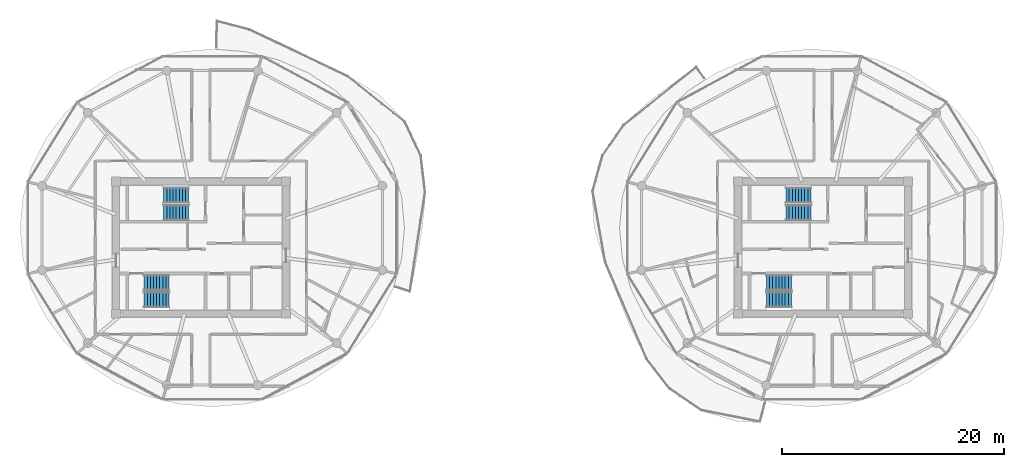
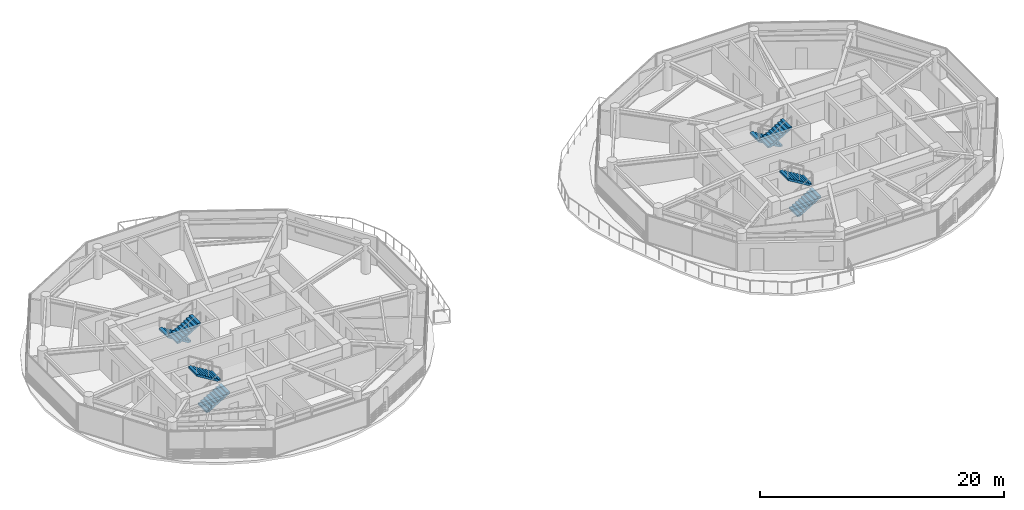
# One storey, part 18 of 21: 8 stair flights, 4 elements without a shape of their own.
"""IFC4 building model written with IfcOpenShell, lengths in metres."""

from ifc_helpers import new_model, si_unit, direction, frame, origin, place, context, subcontext, project, spatial, polyline, outline, extrude, material, type_object, element, aggregate, save


model = new_model("IFC4")

# Units and contexts
model_context = context("Model", 3, precision=1e-05, world=origin(), true_north=direction((0.0, 1.0)))
body_context = subcontext(model_context, "Body", "Model", "MODEL_VIEW")
ifc_project = project(units=[si_unit("LENGTHUNIT", "METRE"), si_unit("AREAUNIT", "SQUARE_METRE"), si_unit("VOLUMEUNIT", "CUBIC_METRE"), si_unit("PLANEANGLEUNIT", "RADIAN"), si_unit("MASSUNIT", "GRAM", prefix="KILO")], contexts=[model_context])

# Site, building, storey
site_placement = place(None, origin())
site = spatial("IfcSite", under=ifc_project, at=site_placement, CompositionType="ELEMENT")
building_placement = place(site_placement, origin())
building = spatial("IfcBuilding", under=site, at=building_placement, Name="Norrkilde Senior Care Towers", CompositionType="ELEMENT")
storey_placement = place(building_placement, frame((0.0, 0.0, 140.39990234375)))
storey = spatial("IfcBuildingStorey", under=building, at=storey_placement, Name="L43", CompositionType="ELEMENT", Elevation=140.39990234375)

# Stair, stair flights
ifc_material = material(Name="Concrete C45/55", Category="concrete")
stair_type = type_object("IfcStairType", Name="Core Protected Dogleg Stair Typical 3050", PredefinedType="HALF_TURN_STAIR", material=ifc_material)
stair_1_placement = place(storey_placement, origin())
stair_1 = element("IfcStair", 1, at=stair_1_placement, inside=storey, type_object=stair_type, Name="L43 Protected Core Stair W1", PredefinedType="HALF_TURN_STAIR")
stair_flight_type = type_object("IfcStairFlightType", Name="Core Protected Dogleg Stair Typical 3050 Flight", PredefinedType="STRAIGHT", material=ifc_material)
stair_flight_1_placement = place(storey_placement, frame((-29.10009765625, 4.699951171875, 0.0), z_axis=(0.0, 0.0, 1.0), x_axis=(-1.0, 0.0, 0.0)))
stair_flight_1 = element("IfcStairFlight", 2, at=stair_flight_1_placement, type_object=stair_flight_type, Name="ST-W1 flight 1", NumberOfRisers=9, NumberOfTreads=8, PredefinedType="STRAIGHT", RiserHeight=0.169444444, TreadLength=0.28, context=body_context, shape_type="SweptSolid", body=[
    extrude(outline(polyline([(0.0, 0.0), (0.0, 0.16943359375), (0.280029296875, 0.16943359375), (0.280029296875, 0.3388671875), (0.56005859375, 0.3388671875), (0.56005859375, 0.50830078125), (0.840087890625, 0.50830078125), (0.840087890625, 0.677734375), (1.1201171875, 0.677734375), (1.1201171875, 0.84716796875), (1.39990234375, 0.84716796875), (1.39990234375, 1.0166015625), (1.679931640625, 1.0166015625), (1.679931640625, 1.18603515625), (1.9599609375, 1.18603515625), (1.9599609375, 1.35546875), (2.239990234375, 1.35546875), (2.239990234375, 1.52490234375), (2.239990234375, 1.180419921875), (0.28955078125, 0.0), (0.0, 0.0)])), frame((0.0, 0.699951171875, 0.0), z_axis=(0.0, -1.0, 0.0), x_axis=(1.0, 0.0, 0.0)), (0.0, 0.0, 1.0), 1.39990234375),
])
stair_flight_2_placement = place(storey_placement, frame((-31.340087890625, 3.14990234375, 1.525146484375), z_axis=(0.0, 0.0, 1.0), x_axis=(1.0, 0.0, 0.0)))
stair_flight_2 = element("IfcStairFlight", 3, at=stair_flight_2_placement, type_object=stair_flight_type, Name="ST-W1 flight 2", NumberOfRisers=9, NumberOfTreads=8, PredefinedType="STRAIGHT", RiserHeight=0.169444444, TreadLength=0.28, context=body_context, shape_type="SweptSolid", body=[
    extrude(outline(polyline([(0.0, 0.0), (0.0, 0.16943359375), (0.280029296875, 0.16943359375), (0.280029296875, 0.3388671875), (0.56005859375, 0.3388671875), (0.56005859375, 0.50830078125), (0.840087890625, 0.50830078125), (0.840087890625, 0.677734375), (1.1201171875, 0.677734375), (1.1201171875, 0.84716796875), (1.39990234375, 0.84716796875), (1.39990234375, 1.0166015625), (1.679931640625, 1.0166015625), (1.679931640625, 1.18603515625), (1.9599609375, 1.18603515625), (1.9599609375, 1.35546875), (2.239990234375, 1.35546875), (2.239990234375, 1.52490234375), (2.239990234375, 1.180419921875), (0.28955078125, 0.0), (0.0, 0.0)])), frame((0.0, 0.699951171875, 0.0), z_axis=(0.0, -1.0, 0.0), x_axis=(1.0, 0.0, 0.0)), (0.0, 0.0, 1.0), 1.39990234375),
])
aggregate(stair_1, [stair_flight_1, stair_flight_2])

stair_2_placement = place(storey_placement, origin())
stair_2 = element("IfcStair", 4, at=stair_2_placement, inside=storey, type_object=stair_type, Name="L43 Protected Core Stair W2", PredefinedType="HALF_TURN_STAIR")
stair_flight_3_placement = place(storey_placement, frame((-33.10009765625, -4.699951171875, 0.0), z_axis=(0.0, 0.0, 1.0), x_axis=(1.0, 0.0, 0.0)))
stair_flight_3 = element("IfcStairFlight", 5, at=stair_flight_3_placement, type_object=stair_flight_type, Name="ST-W2 flight 1", NumberOfRisers=9, NumberOfTreads=8, PredefinedType="STRAIGHT", RiserHeight=0.169444444, TreadLength=0.28, context=body_context, shape_type="SweptSolid", body=[
    extrude(outline(polyline([(0.0, 0.0), (0.0, 0.16943359375), (0.280029296875, 0.16943359375), (0.280029296875, 0.3388671875), (0.56005859375, 0.3388671875), (0.56005859375, 0.50830078125), (0.840087890625, 0.50830078125), (0.840087890625, 0.677734375), (1.1201171875, 0.677734375), (1.1201171875, 0.84716796875), (1.39990234375, 0.84716796875), (1.39990234375, 1.0166015625), (1.679931640625, 1.0166015625), (1.679931640625, 1.18603515625), (1.9599609375, 1.18603515625), (1.9599609375, 1.35546875), (2.239990234375, 1.35546875), (2.239990234375, 1.52490234375), (2.239990234375, 1.180419921875), (0.28955078125, 0.0), (0.0, 0.0)])), frame((0.0, 0.699951171875, 0.0), z_axis=(0.0, -1.0, 0.0), x_axis=(1.0, 0.0, 0.0)), (0.0, 0.0, 1.0), 1.39990234375),
])
stair_flight_4_placement = place(storey_placement, frame((-30.860107421875, -3.14990234375, 1.525146484375), z_axis=(0.0, 0.0, 1.0), x_axis=(-1.0, 0.0, 0.0)))
stair_flight_4 = element("IfcStairFlight", 6, at=stair_flight_4_placement, type_object=stair_flight_type, Name="ST-W2 flight 2", NumberOfRisers=9, NumberOfTreads=8, PredefinedType="STRAIGHT", RiserHeight=0.169444444, TreadLength=0.28, context=body_context, shape_type="SweptSolid", body=[
    extrude(outline(polyline([(0.0, 0.0), (0.0, 0.16943359375), (0.280029296875, 0.16943359375), (0.280029296875, 0.3388671875), (0.56005859375, 0.3388671875), (0.56005859375, 0.50830078125), (0.840087890625, 0.50830078125), (0.840087890625, 0.677734375), (1.1201171875, 0.677734375), (1.1201171875, 0.84716796875), (1.39990234375, 0.84716796875), (1.39990234375, 1.0166015625), (1.679931640625, 1.0166015625), (1.679931640625, 1.18603515625), (1.9599609375, 1.18603515625), (1.9599609375, 1.35546875), (2.239990234375, 1.35546875), (2.239990234375, 1.52490234375), (2.239990234375, 1.180419921875), (0.28955078125, 0.0), (0.0, 0.0)])), frame((0.0, 0.699951171875, 0.0), z_axis=(0.0, -1.0, 0.0), x_axis=(1.0, 0.0, 0.0)), (0.0, 0.0, 1.0), 1.39990234375),
])
aggregate(stair_2, [stair_flight_3, stair_flight_4])

stair_3_placement = place(storey_placement, origin())
stair_3 = element("IfcStair", 7, at=stair_3_placement, inside=storey, type_object=stair_type, Name="L43 Protected Core Stair E1", PredefinedType="HALF_TURN_STAIR")
stair_flight_5_placement = place(storey_placement, frame((26.89990234375, 4.699951171875, 0.0), z_axis=(0.0, 0.0, 1.0), x_axis=(-1.0, 0.0, 0.0)))
stair_flight_5 = element("IfcStairFlight", 8, at=stair_flight_5_placement, type_object=stair_flight_type, Name="ST-E1 flight 1", NumberOfRisers=9, NumberOfTreads=8, PredefinedType="STRAIGHT", RiserHeight=0.169444444, TreadLength=0.28, context=body_context, shape_type="SweptSolid", body=[
    extrude(outline(polyline([(0.0, 0.0), (0.0, 0.16943359375), (0.280029296875, 0.16943359375), (0.280029296875, 0.3388671875), (0.56005859375, 0.3388671875), (0.56005859375, 0.50830078125), (0.840087890625, 0.50830078125), (0.840087890625, 0.677734375), (1.1201171875, 0.677734375), (1.1201171875, 0.84716796875), (1.39990234375, 0.84716796875), (1.39990234375, 1.0166015625), (1.679931640625, 1.0166015625), (1.679931640625, 1.18603515625), (1.9599609375, 1.18603515625), (1.9599609375, 1.35546875), (2.239990234375, 1.35546875), (2.239990234375, 1.52490234375), (2.239990234375, 1.180419921875), (0.28955078125, 0.0), (0.0, 0.0)])), frame((0.0, 0.699951171875, 0.0), z_axis=(0.0, -1.0, 0.0), x_axis=(1.0, 0.0, 0.0)), (0.0, 0.0, 1.0), 1.39990234375),
])
stair_flight_6_placement = place(storey_placement, frame((24.659912109375, 3.14990234375, 1.525146484375), z_axis=(0.0, 0.0, 1.0), x_axis=(1.0, 0.0, 0.0)))
stair_flight_6 = element("IfcStairFlight", 9, at=stair_flight_6_placement, type_object=stair_flight_type, Name="ST-E1 flight 2", NumberOfRisers=9, NumberOfTreads=8, PredefinedType="STRAIGHT", RiserHeight=0.169444444, TreadLength=0.28, context=body_context, shape_type="SweptSolid", body=[
    extrude(outline(polyline([(0.0, 0.0), (0.0, 0.16943359375), (0.280029296875, 0.16943359375), (0.280029296875, 0.3388671875), (0.56005859375, 0.3388671875), (0.56005859375, 0.50830078125), (0.840087890625, 0.50830078125), (0.840087890625, 0.677734375), (1.1201171875, 0.677734375), (1.1201171875, 0.84716796875), (1.39990234375, 0.84716796875), (1.39990234375, 1.0166015625), (1.679931640625, 1.0166015625), (1.679931640625, 1.18603515625), (1.9599609375, 1.18603515625), (1.9599609375, 1.35546875), (2.239990234375, 1.35546875), (2.239990234375, 1.52490234375), (2.239990234375, 1.180419921875), (0.28955078125, 0.0), (0.0, 0.0)])), frame((0.0, 0.699951171875, 0.0), z_axis=(0.0, -1.0, 0.0), x_axis=(1.0, 0.0, 0.0)), (0.0, 0.0, 1.0), 1.39990234375),
])
aggregate(stair_3, [stair_flight_5, stair_flight_6])

stair_4_placement = place(storey_placement, origin())
stair_4 = element("IfcStair", 10, at=stair_4_placement, inside=storey, type_object=stair_type, Name="L43 Protected Core Stair E2", PredefinedType="HALF_TURN_STAIR")
stair_flight_7_placement = place(storey_placement, frame((22.89990234375, -4.699951171875, 0.0), z_axis=(0.0, 0.0, 1.0), x_axis=(1.0, 0.0, 0.0)))
stair_flight_7 = element("IfcStairFlight", 11, at=stair_flight_7_placement, type_object=stair_flight_type, Name="ST-E2 flight 1", NumberOfRisers=9, NumberOfTreads=8, PredefinedType="STRAIGHT", RiserHeight=0.169444444, TreadLength=0.28, context=body_context, shape_type="SweptSolid", body=[
    extrude(outline(polyline([(0.0, 0.0), (0.0, 0.16943359375), (0.280029296875, 0.16943359375), (0.280029296875, 0.3388671875), (0.56005859375, 0.3388671875), (0.56005859375, 0.50830078125), (0.840087890625, 0.50830078125), (0.840087890625, 0.677734375), (1.1201171875, 0.677734375), (1.1201171875, 0.84716796875), (1.39990234375, 0.84716796875), (1.39990234375, 1.0166015625), (1.679931640625, 1.0166015625), (1.679931640625, 1.18603515625), (1.9599609375, 1.18603515625), (1.9599609375, 1.35546875), (2.239990234375, 1.35546875), (2.239990234375, 1.52490234375), (2.239990234375, 1.180419921875), (0.28955078125, 0.0), (0.0, 0.0)])), frame((0.0, 0.699951171875, 0.0), z_axis=(0.0, -1.0, 0.0), x_axis=(1.0, 0.0, 0.0)), (0.0, 0.0, 1.0), 1.39990234375),
])
stair_flight_8_placement = place(storey_placement, frame((25.139892578125, -3.14990234375, 1.525146484375), z_axis=(0.0, 0.0, 1.0), x_axis=(-1.0, 0.0, 0.0)))
stair_flight_8 = element("IfcStairFlight", 12, at=stair_flight_8_placement, type_object=stair_flight_type, Name="ST-E2 flight 2", NumberOfRisers=9, NumberOfTreads=8, PredefinedType="STRAIGHT", RiserHeight=0.169444444, TreadLength=0.28, context=body_context, shape_type="SweptSolid", body=[
    extrude(outline(polyline([(0.0, 0.0), (0.0, 0.16943359375), (0.280029296875, 0.16943359375), (0.280029296875, 0.3388671875), (0.56005859375, 0.3388671875), (0.56005859375, 0.50830078125), (0.840087890625, 0.50830078125), (0.840087890625, 0.677734375), (1.1201171875, 0.677734375), (1.1201171875, 0.84716796875), (1.39990234375, 0.84716796875), (1.39990234375, 1.0166015625), (1.679931640625, 1.0166015625), (1.679931640625, 1.18603515625), (1.9599609375, 1.18603515625), (1.9599609375, 1.35546875), (2.239990234375, 1.35546875), (2.239990234375, 1.52490234375), (2.239990234375, 1.180419921875), (0.28955078125, 0.0), (0.0, 0.0)])), frame((0.0, 0.699951171875, 0.0), z_axis=(0.0, -1.0, 0.0), x_axis=(1.0, 0.0, 0.0)), (0.0, 0.0, 1.0), 1.39990234375),
])
aggregate(stair_4, [stair_flight_7, stair_flight_8])

save(model, "model.ifc")
